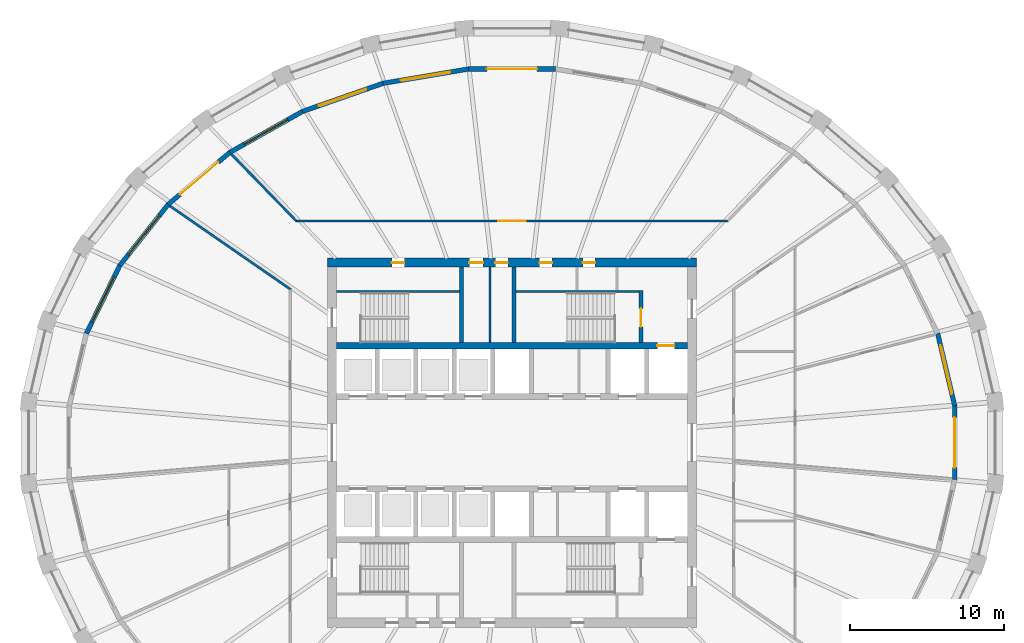
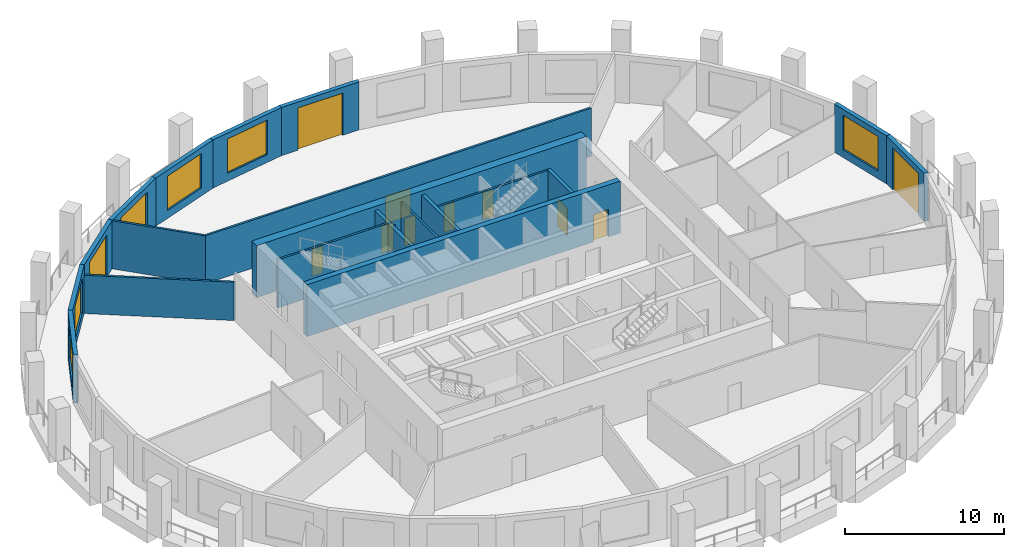
# One storey, part 6 of 11: 20 walls, 11 doors, 6 windows, 17 openings.
"""IFC4 building model written with IfcOpenShell, lengths in metres."""

from ifc_helpers import new_model, si_unit, direction, frame, frame_2d, origin, place, context, subcontext, project, spatial, polyline, rectangle, outline, extrude, material, layer, layer_set, type_object, element, fill, save


model = new_model("IFC4")

# Units and contexts
model_context = context("Model", 3, precision=1e-05, world=origin(), true_north=direction((0.0, 1.0)))
body_context = subcontext(model_context, "Body", "Model", "MODEL_VIEW")
ifc_project = project(units=[si_unit("LENGTHUNIT", "METRE"), si_unit("AREAUNIT", "SQUARE_METRE"), si_unit("VOLUMEUNIT", "CUBIC_METRE"), si_unit("PLANEANGLEUNIT", "RADIAN"), si_unit("MASSUNIT", "GRAM", prefix="KILO")], contexts=[model_context])

# Site, building, storey
site_placement = place(None, origin())
site = spatial("IfcSite", under=ifc_project, at=site_placement, CompositionType="ELEMENT")
building_placement = place(site_placement, origin())
building = spatial("IfcBuilding", under=site, at=building_placement, Name="Halqa Exchange Tower", CompositionType="ELEMENT")
storey_placement = place(building_placement, frame((0.0, 0.0, 226.89990234375)))
storey = spatial("IfcBuildingStorey", under=building, at=storey_placement, Name="L52", CompositionType="ELEMENT", Elevation=226.89990234375)

# Walls
ifc_material_1 = material(Name="Fire-rated gypsum board")
ifc_layer_1 = layer(ifc_material_1, 0.14990234375)
ifc_layer_set_1 = layer_set([ifc_layer_1], Name="Fire-rated gypsum board")
wall_type_1 = type_object("IfcWallType", Name="Fire partition EI 60 150", PredefinedType="PARTITIONING", material=ifc_layer_set_1)
wall_1_placement = place(storey_placement, frame((-18.242431640625, 18.746826171875, 0.0), z_axis=(0.0, 0.0, 1.0), x_axis=(0.697616683155, -0.716471188105, 0.0)))
element("IfcWall", 1, at=wall_1_placement, inside=storey, type_object=wall_type_1, Name="L52-PWL-004", PredefinedType="PARTITIONING", context=body_context, shape_type="SweptSolid", body=[
    extrude(outline(polyline([(0.0, -0.074951171875), (1.524658203125, -0.074951171875), (3.04931640625, -0.074951171875), (4.573974609375, -0.074951171875), (6.0986328125, -0.074951171875), (6.06689453125, 0.0), (6.035400390625, 0.074951171875), (4.532958984375, 0.074951171875), (3.030517578125, 0.074951171875), (1.52783203125, 0.074951171875), (0.025390625, 0.074951171875), (0.005126953125, -0.002197265625), (0.0, -0.07177734375), (0.0, -0.074951171875)])), origin(), (0.0, 0.0, 1.0), 3.7001953125),
])
wall_2_placement = place(storey_placement, frame((-14.36767578125, 9.947509765625, 0.0), z_axis=(0.0, 0.0, 1.0), x_axis=(-0.822511136101, 0.568749005265, 0.0)))
element("IfcWall", 2, at=wall_2_placement, inside=storey, type_object=wall_type_1, Name="L52-PWL-007", PredefinedType="PARTITIONING", context=body_context, shape_type="SweptSolid", body=[
    extrude(outline(polyline([(0.000244140625, -0.074951171875), (1.90673828125, -0.074951171875), (3.8134765625, -0.074951171875), (5.72021484375, -0.074951171875), (7.626708984375, -0.074951171875), (9.533447265625, -0.074951171875), (9.553955078125, 0.00048828125), (9.558349609375, 0.068603515625), (9.558349609375, 0.074951171875), (7.662353515625, 0.074951171875), (5.7666015625, 0.074951171875), (3.87060546875, 0.074951171875), (1.974609375, 0.074951171875), (0.07861328125, 0.074951171875), (0.07861328125, 0.074951171875), (0.07861328125, 0.074951171875), (0.039306640625, 0.0), (0.000244140625, -0.074951171875)])), origin(), (0.0, 0.0, 1.0), 2.947021484375),
])

# Wall, opening, door
wall_3_placement = place(storey_placement, frame((-14.041748046875, 14.39990234375, 0.0), z_axis=(0.0, 0.0, 1.0), x_axis=(1.0, 0.0, 0.0)))
wall_3 = element("IfcWall", 3, at=wall_3_placement, inside=storey, type_object=wall_type_1, Name="L52-PWL-010", PredefinedType="PARTITIONING", context=body_context, shape_type="SweptSolid", body=[
    extrude(outline(polyline([(0.0, -0.074951171875), (1.872314453125, -0.074951171875), (3.74462890625, -0.074951171875), (5.61669921875, -0.074951171875), (7.489013671875, -0.074951171875), (9.361083984375, -0.074951171875), (11.2333984375, -0.074951171875), (13.105712890625, -0.074951171875), (14.977783203125, -0.074951171875), (16.85009765625, -0.074951171875), (18.722412109375, -0.074951171875), (20.594482421875, -0.074951171875), (22.466796875, -0.074951171875), (24.3388671875, -0.074951171875), (26.211181640625, -0.074951171875), (28.08349609375, -0.074951171875), (28.020263671875, 0.074951171875), (26.023193359375, 0.074951171875), (24.0263671875, 0.074951171875), (22.029296875, 0.074951171875), (20.032470703125, 0.074951171875), (18.03564453125, 0.074951171875), (16.03857421875, 0.074951171875), (14.041748046875, 0.074951171875), (12.044921875, 0.074951171875), (10.0478515625, 0.074951171875), (8.051025390625, 0.074951171875), (6.05419921875, 0.074951171875), (4.05712890625, 0.074951171875), (2.060302734375, 0.074951171875), (0.063232421875, 0.074951171875), (0.0, -0.074951171875)])), origin(), (0.0, 0.0, 1.0), 3.7001953125),
])
opening_1_placement = place(wall_3_placement, frame((13.1416015625, 0.0, 0.0)))
opening_1 = element("IfcOpeningElement", 4, at=opening_1_placement, cuts=wall_3, Name="Opening 16-01", PredefinedType="OPENING", context=body_context, shape_type="SweptSolid", body=[
    extrude(rectangle(XDim=1.800048828125, YDim=2.10009765625, at=frame_2d((0.89990234375, 1.050048828125))), frame((0.0, 0.0869140625, 0.0), z_axis=(0.0, -1.0, 0.0), x_axis=(1.0, 0.0, 0.0)), (0.0, 0.0, 1.0), 0.173828125),
])
ifc_material_2 = material(Name="Steel fire door leaf", Category="steel")
door_type_1 = type_object("IfcDoorType", Name="Fire door FD30S double 1800 x 2100", OperationType="DOUBLE_DOOR_SINGLE_SWING", PredefinedType="DOOR", material=ifc_material_2)
door_1_placement = place(opening_1_placement, origin())
door_1 = element("IfcDoor", 5, at=door_1_placement, inside=storey, type_object=door_type_1, Name="L52-IDR-001", OperationType="DOUBLE_DOOR_SINGLE_SWING", OverallHeight=2.10009765625, OverallWidth=1.800048828125, PredefinedType="DOOR", context=body_context, shape_type="SweptSolid", body=[
    extrude(rectangle(XDim=1.800048828125, YDim=2.10009765625, at=frame_2d((0.89990234375, 1.050048828125))), frame((0.0, 0.02490234375, 0.0), z_axis=(0.0, -1.0, 0.0), x_axis=(1.0, 0.0, 0.0)), (0.0, 0.0, 1.0), 0.050048828125),
])
fill(opening_1, door_1)

# Wall
ifc_material_3 = material(Name="Gypsum board")
ifc_layer_2 = layer(ifc_material_3, 0.14990234375)
ifc_layer_set_2 = layer_set([ifc_layer_2], Name="Gypsum board")
wall_type_2 = type_object("IfcWallType", Name="Penthouse riser wall 150 gypsum", PredefinedType="PARTITIONING", material=ifc_layer_set_2)
wall_4_placement = place(storey_placement, frame((-1.425048828125, 6.5, 0.0), z_axis=(0.0, 0.0, 1.0), x_axis=(0.0, 1.0, 0.0)))
element("IfcWall", 6, at=wall_4_placement, inside=storey, type_object=wall_type_2, Name="Partition W1.425 N", PredefinedType="PARTITIONING", context=body_context, shape_type="SweptSolid", body=[
    extrude(rectangle(XDim=4.89990234375, YDim=0.14990234375, at=frame_2d((2.449951171875, 0.0))), origin(), (0.0, 0.0, 1.0), 3.7001953125),
])

# Wall, opening, door
ifc_material_4 = material(Name="Concrete C70/85", Category="concrete")
ifc_layer_3 = layer(ifc_material_4, 0.39990234375)
ifc_layer_set_3 = layer_set([ifc_layer_3], Name="Concrete C70/85")
wall_type_3 = type_object("IfcWallType", Name="RC core wall 400 C70/85", PredefinedType="SHEAR", material=ifc_layer_set_3)
wall_5_placement = place(storey_placement, frame((-11.39990234375, 6.300048828125, 0.0), z_axis=(0.0, 0.0, 1.0), x_axis=(1.0, 0.0, 0.0)))
wall_5 = element("IfcWall", 7, at=wall_5_placement, inside=storey, type_object=wall_type_3, Name="Lift row back wall N", PredefinedType="SHEAR", context=body_context, shape_type="SweptSolid", body=[
    extrude(rectangle(XDim=22.7998046875, YDim=0.39990234375, at=frame_2d((11.39990234375, 0.0))), origin(), (0.0, 0.0, 1.0), 4.0),
])
opening_2_placement = place(wall_5_placement, frame((20.85009765625, 0.0, 0.0)))
opening_2 = element("IfcOpeningElement", 8, at=opening_2_placement, cuts=wall_5, Name="Opening LD-FF1-T16", PredefinedType="OPENING", context=body_context, shape_type="SweptSolid", body=[
    extrude(rectangle(XDim=1.10009765625, YDim=2.10009765625, at=frame_2d((0.550048828125, 1.050048828125))), frame((0.0, 0.2119140625, 0.0), z_axis=(0.0, -1.0, 0.0), x_axis=(1.0, 0.0, 0.0)), (0.0, 0.0, 1.0), 0.423828125),
])
ifc_material_5 = material(Name="Stainless steel", Category="steel")
door_type_2 = type_object("IfcDoorType", Name="Lift landing door 1100 x 2100", OperationType="SLIDING_TO_LEFT", PredefinedType="DOOR", material=ifc_material_5)
door_2_placement = place(opening_2_placement, origin())
door_2 = element("IfcDoor", 9, at=door_2_placement, inside=storey, type_object=door_type_2, Name="Lift landing door FF1", OperationType="SLIDING_TO_LEFT", OverallHeight=2.10009765625, OverallWidth=1.10009765625, PredefinedType="DOOR", context=body_context, shape_type="SweptSolid", body=[
    extrude(rectangle(XDim=1.10009765625, YDim=2.10009765625, at=frame_2d((0.550048828125, 1.050048828125))), frame((0.0, 0.02490234375, 0.0), z_axis=(0.0, -1.0, 0.0), x_axis=(1.0, 0.0, 0.0)), (0.0, 0.0, 1.0), 0.050048828125),
])
fill(opening_2, door_2)

# Wall, openings, doors
ifc_layer_4 = layer(ifc_material_4, 0.60009765625)
ifc_layer_set_4 = layer_set([ifc_layer_4], Name="Concrete C70/85")
wall_type_4 = type_object("IfcWallType", Name="RC core wall 600 C70/85", PredefinedType="SHEAR", material=ifc_layer_set_4)
wall_6_placement = place(storey_placement, frame((-12.0, 11.699951171875, 0.0), z_axis=(0.0, 0.0, 1.0), x_axis=(1.0, 0.0, 0.0)))
wall_6 = element("IfcWall", 10, at=wall_6_placement, inside=storey, type_object=wall_type_4, Name="Core wall north", PredefinedType="SHEAR", context=body_context, shape_type="SweptSolid", body=[
    extrude(rectangle(XDim=24.0, YDim=0.60009765625, at=frame_2d((12.0, 0.0))), origin(), (0.0, 0.0, 1.0), 4.0),
])
opening_3_placement = place(wall_6_placement, frame((9.22509765625, 0.0, 0.0)))
opening_3 = element("IfcOpeningElement", 11, at=opening_3_placement, cuts=wall_6, Name="Opening T16-C21", PredefinedType="OPENING", context=body_context, shape_type="SweptSolid", body=[
    extrude(rectangle(XDim=0.89990234375, YDim=2.10009765625, at=frame_2d((0.449951171875, 1.050048828125))), frame((0.0, 0.31201171875, 0.0), z_axis=(0.0, -1.0, 0.0), x_axis=(1.0, 0.0, 0.0)), (0.0, 0.0, 1.0), 0.6240234375),
])
opening_4_placement = place(wall_6_placement, frame((10.925048828125, 0.0, 0.0)))
opening_4 = element("IfcOpeningElement", 12, at=opening_4_placement, cuts=wall_6, Name="Opening T16-C22", PredefinedType="OPENING", context=body_context, shape_type="SweptSolid", body=[
    extrude(rectangle(XDim=0.800048828125, YDim=2.10009765625, at=frame_2d((0.39990234375, 1.050048828125))), frame((0.0, 0.31201171875, 0.0), z_axis=(0.0, -1.0, 0.0), x_axis=(1.0, 0.0, 0.0)), (0.0, 0.0, 1.0), 0.6240234375),
])
opening_5_placement = place(wall_6_placement, frame((4.199951171875, 0.0, 0.0)))
opening_5 = element("IfcOpeningElement", 13, at=opening_5_placement, cuts=wall_6, Name="Opening T16-C23", PredefinedType="OPENING", context=body_context, shape_type="SweptSolid", body=[
    extrude(rectangle(XDim=0.800048828125, YDim=2.10009765625, at=frame_2d((0.39990234375, 1.050048828125))), frame((0.0, 0.31201171875, 0.0), z_axis=(0.0, -1.0, 0.0), x_axis=(1.0, 0.0, 0.0)), (0.0, 0.0, 1.0), 0.6240234375),
])
opening_6_placement = place(wall_6_placement, frame((13.800048828125, 0.0, 0.0)))
opening_6 = element("IfcOpeningElement", 14, at=opening_6_placement, cuts=wall_6, Name="Opening T16-C24", PredefinedType="OPENING", context=body_context, shape_type="SweptSolid", body=[
    extrude(rectangle(XDim=0.800048828125, YDim=2.10009765625, at=frame_2d((0.39990234375, 1.050048828125))), frame((0.0, 0.31201171875, 0.0), z_axis=(0.0, -1.0, 0.0), x_axis=(1.0, 0.0, 0.0)), (0.0, 0.0, 1.0), 0.6240234375),
])
opening_7_placement = place(wall_6_placement, frame((16.60009765625, 0.0, 0.0)))
opening_7 = element("IfcOpeningElement", 15, at=opening_7_placement, cuts=wall_6, Name="Opening T16-C25", PredefinedType="OPENING", context=body_context, shape_type="SweptSolid", body=[
    extrude(rectangle(XDim=0.800048828125, YDim=2.10009765625, at=frame_2d((0.39990234375, 1.050048828125))), frame((0.0, 0.31201171875, 0.0), z_axis=(0.0, -1.0, 0.0), x_axis=(1.0, 0.0, 0.0)), (0.0, 0.0, 1.0), 0.6240234375),
])
ifc_material_6 = material(Name="Timber fire door leaf", Category="wood")
door_type_3 = type_object("IfcDoorType", Name="Core room door FD30 900 x 2100", OperationType="SINGLE_SWING_LEFT", PredefinedType="DOOR", material=ifc_material_6)
door_3_placement = place(opening_3_placement, frame((0.89990234375, 0.0, 0.0), z_axis=(0.0, 0.0, 1.0), x_axis=(-1.0, 0.0, 0.0)))
door_3 = element("IfcDoor", 16, at=door_3_placement, inside=storey, type_object=door_type_3, Name="Core room door", OperationType="SINGLE_SWING_RIGHT", OverallHeight=2.10009765625, OverallWidth=0.89990234375, PredefinedType="DOOR", context=body_context, shape_type="SweptSolid", body=[
    extrude(rectangle(XDim=0.89990234375, YDim=2.10009765625, at=frame_2d((0.449951171875, 1.050048828125))), frame((0.0, 0.02490234375, 0.0), z_axis=(0.0, -1.0, 0.0), x_axis=(1.0, 0.0, 0.0)), (0.0, 0.0, 1.0), 0.050048828125),
])
fill(opening_3, door_3)
door_type_4 = type_object("IfcDoorType", Name="Riser door FD60 800 x 2100", OperationType="SINGLE_SWING_LEFT", PredefinedType="DOOR", material=ifc_material_2)
door_4_placement = place(opening_4_placement, frame((0.800048828125, 0.0, 0.0), z_axis=(0.0, 0.0, 1.0), x_axis=(-1.0, 0.0, 0.0)))
door_4 = element("IfcDoor", 17, at=door_4_placement, inside=storey, type_object=door_type_4, Name="Core room door", OperationType="SINGLE_SWING_RIGHT", OverallHeight=2.10009765625, OverallWidth=0.800048828125, PredefinedType="DOOR", context=body_context, shape_type="SweptSolid", body=[
    extrude(rectangle(XDim=0.800048828125, YDim=2.10009765625, at=frame_2d((0.39990234375, 1.050048828125))), frame((0.0, 0.02490234375, 0.0), z_axis=(0.0, -1.0, 0.0), x_axis=(1.0, 0.0, 0.0)), (0.0, 0.0, 1.0), 0.050048828125),
])
fill(opening_4, door_4)
door_5_placement = place(opening_5_placement, frame((0.800048828125, 0.0, 0.0), z_axis=(0.0, 0.0, 1.0), x_axis=(-1.0, 0.0, 0.0)))
door_5 = element("IfcDoor", 18, at=door_5_placement, inside=storey, type_object=door_type_4, Name="Core room door", OperationType="SINGLE_SWING_RIGHT", OverallHeight=2.10009765625, OverallWidth=0.800048828125, PredefinedType="DOOR", context=body_context, shape_type="SweptSolid", body=[
    extrude(rectangle(XDim=0.800048828125, YDim=2.10009765625, at=frame_2d((0.39990234375, 1.050048828125))), frame((0.0, 0.02490234375, 0.0), z_axis=(0.0, -1.0, 0.0), x_axis=(1.0, 0.0, 0.0)), (0.0, 0.0, 1.0), 0.050048828125),
])
fill(opening_5, door_5)
door_6_placement = place(opening_6_placement, frame((0.800048828125, 0.0, 0.0), z_axis=(0.0, 0.0, 1.0), x_axis=(-1.0, 0.0, 0.0)))
door_6 = element("IfcDoor", 19, at=door_6_placement, inside=storey, type_object=door_type_4, Name="Core room door", OperationType="SINGLE_SWING_LEFT", OverallHeight=2.10009765625, OverallWidth=0.800048828125, PredefinedType="DOOR", context=body_context, shape_type="SweptSolid", body=[
    extrude(rectangle(XDim=0.800048828125, YDim=2.10009765625, at=frame_2d((0.39990234375, 1.050048828125))), frame((0.0, 0.02490234375, 0.0), z_axis=(0.0, -1.0, 0.0), x_axis=(1.0, 0.0, 0.0)), (0.0, 0.0, 1.0), 0.050048828125),
])
fill(opening_6, door_6)
door_7_placement = place(opening_7_placement, frame((0.800048828125, 0.0, 0.0), z_axis=(0.0, 0.0, 1.0), x_axis=(-1.0, 0.0, 0.0)))
door_7 = element("IfcDoor", 20, at=door_7_placement, inside=storey, type_object=door_type_4, Name="Core room door", OperationType="SINGLE_SWING_LEFT", OverallHeight=2.10009765625, OverallWidth=0.800048828125, PredefinedType="DOOR", context=body_context, shape_type="SweptSolid", body=[
    extrude(rectangle(XDim=0.800048828125, YDim=2.10009765625, at=frame_2d((0.39990234375, 1.050048828125))), frame((0.0, 0.02490234375, 0.0), z_axis=(0.0, -1.0, 0.0), x_axis=(1.0, 0.0, 0.0)), (0.0, 0.0, 1.0), 0.050048828125),
])
fill(opening_7, door_7)

# Walls
ifc_material_7 = material(Name="Concrete C30/37", Category="concrete")
ifc_layer_5 = layer(ifc_material_7, 0.14990234375)
ifc_layer_set_5 = layer_set([ifc_layer_5], Name="Concrete C30/37")
wall_type_5 = type_object("IfcWallType", Name="RC stair wall 150 C30/37", PredefinedType="SHEAR", material=ifc_layer_set_5)
for number, where, z_axis, x_axis, name in (
    (21, (-11.39990234375, 9.824951171875, 0.0), (0.0, 0.0, 1.0), (1.0, 0.0, 0.0), "Stair ST1 north wall N"),
    (22, (0.25, 9.824951171875, 0.0), (0.0, 0.0, 1.0), (1.0, 0.0, 0.0), "Stair ST2 north wall N"),
):
    element("IfcWall", number, at=place(storey_placement, frame(where, z_axis=z_axis, x_axis=x_axis)), inside=storey, type_object=wall_type_5, Name=name, PredefinedType="SHEAR", context=body_context, shape_type="SweptSolid", body=[
        extrude(rectangle(XDim=8.0, YDim=0.14990234375, at=frame_2d((4.0, 0.0))), origin(), (0.0, 0.0, 1.0), 3.7001953125),
    ])
ifc_layer_6 = layer(ifc_material_7, 0.25)
ifc_layer_set_6 = layer_set([ifc_layer_6], Name="Concrete C30/37")
wall_type_6 = type_object("IfcWallType", Name="RC stair wall 250 C30/37", PredefinedType="SHEAR", material=ifc_layer_set_6)
for number, where, z_axis, x_axis, name in (
    (23, (-3.27490234375, 6.5, 0.0), (0.0, 0.0, 1.0), (0.0, 1.0, 0.0), "Stair ST1 east wall N"),
    (24, (0.125, 6.5, 0.0), (0.0, 0.0, 1.0), (0.0, 1.0, 0.0), "Stair ST2 west wall N"),
):
    element("IfcWall", number, at=place(storey_placement, frame(where, z_axis=z_axis, x_axis=x_axis)), inside=storey, type_object=wall_type_6, Name=name, PredefinedType="SHEAR", context=body_context, shape_type="SweptSolid", body=[
        extrude(rectangle(XDim=4.89990234375, YDim=0.25, at=frame_2d((2.449951171875, 0.0))), origin(), (0.0, 0.0, 1.0), 3.7001953125),
    ])

# Wall, opening, door
wall_7_placement = place(storey_placement, frame((8.375, 6.5, 0.0), z_axis=(0.0, 0.0, 1.0), x_axis=(0.0, 1.0, 0.0)))
wall_7 = element("IfcWall", 25, at=wall_7_placement, inside=storey, type_object=wall_type_6, Name="Stair ST2 east wall N", PredefinedType="SHEAR", context=body_context, shape_type="SweptSolid", body=[
    extrude(rectangle(XDim=3.39990234375, YDim=0.25, at=frame_2d((1.699951171875, 0.0))), origin(), (0.0, 0.0, 1.0), 3.7001953125),
])
opening_8_placement = place(wall_7_placement, frame((1.02490234375, 0.0, 0.0)))
opening_8 = element("IfcOpeningElement", 26, at=opening_8_placement, cuts=wall_7, Name="Opening T16-C16", PredefinedType="OPENING", context=body_context, shape_type="SweptSolid", body=[
    extrude(rectangle(XDim=1.199951171875, YDim=2.10009765625, at=frame_2d((0.60009765625, 1.050048828125))), frame((0.0, 0.136962890625, 0.0), z_axis=(0.0, -1.0, 0.0), x_axis=(1.0, 0.0, 0.0)), (0.0, 0.0, 1.0), 0.27392578125),
])
door_type_5 = type_object("IfcDoorType", Name="Stair door FD90 1200 x 2100", OperationType="SINGLE_SWING_LEFT", PredefinedType="DOOR", material=ifc_material_2)
door_8_placement = place(opening_8_placement, origin())
door_8 = element("IfcDoor", 27, at=door_8_placement, inside=storey, type_object=door_type_5, Name="Stair door ST2", OperationType="SINGLE_SWING_LEFT", OverallHeight=2.10009765625, OverallWidth=1.199951171875, PredefinedType="DOOR", context=body_context, shape_type="SweptSolid", body=[
    extrude(rectangle(XDim=1.199951171875, YDim=2.10009765625, at=frame_2d((0.60009765625, 1.050048828125))), frame((0.0, 0.02490234375, 0.0), z_axis=(0.0, -1.0, 0.0), x_axis=(1.0, 0.0, 0.0)), (0.0, 0.0, 1.0), 0.050048828125),
])
fill(opening_8, door_8)

# Wall, opening, window
ifc_material_8 = material(Name="Limestone cladding", Category="masonry")
ifc_layer_7 = layer(ifc_material_8, 0.0400390625)
ifc_material_9 = material(Name="Ventilated cavity")
ifc_layer_8 = layer(ifc_material_9, 0.030029296875, ventilated=True)
ifc_material_10 = material(Name="Mineral wool insulation")
ifc_layer_9 = layer(ifc_material_10, 0.10009765625)
ifc_layer_10 = layer(ifc_material_7, 0.10009765625)
ifc_material_11 = material(Name="Internal plaster")
ifc_layer_11 = layer(ifc_material_11, 0.030029296875)
ifc_layer_set_7 = layer_set([ifc_layer_7, ifc_layer_8, ifc_layer_9, ifc_layer_10, ifc_layer_11], Name="Stone-faced insulated wall 300")
wall_type_7 = type_object("IfcWallType", Name="Stone-faced insulated wall 300", PredefinedType="STANDARD", material=ifc_layer_set_7)
wall_8_placement = place(storey_placement, frame((28.76416015625, 2.393798828125, 0.0), z_axis=(0.0, 0.0, 1.0), x_axis=(-0.229617574796, 0.97328093033, 0.0)))
wall_8 = element("IfcWall", 28, at=wall_8_placement, inside=storey, type_object=wall_type_7, Name="Glass-line wall 1", PredefinedType="STANDARD", context=body_context, shape_type="SweptSolid", body=[
    extrude(outline(polyline([(-0.017333984375, -0.14990234375), (4.8408203125, -0.14990234375), (4.80712890625, 0.14990234375), (0.017333984375, 0.14990234375), (-0.017333984375, -0.14990234375)])), origin(), (0.0, 0.0, 1.0), 3.7001953125),
])
opening_9_placement = place(wall_8_placement, frame((0.786865234375, 0.0, 0.60009765625)))
opening_9 = element("IfcOpeningElement", 29, at=opening_9_placement, cuts=wall_8, Name="Opening W-F3-01", PredefinedType="OPENING", context=body_context, shape_type="SweptSolid", body=[
    extrude(rectangle(XDim=3.25, YDim=2.64990234375, at=frame_2d((1.625, 1.324951171875))), frame((0.0, 0.162109375, 0.0), z_axis=(0.0, -1.0, 0.0), x_axis=(1.0, 0.0, 0.0)), (0.0, 0.0, 1.0), 0.323974609375),
])
ifc_material_12 = material(Name="Clear low-emissivity glass in aluminium frame", Category="aluminium")
window_type = type_object("IfcWindowType", Name="Fixed clear glazed window 3250 x 2650", PartitioningType="TRIPLE_PANEL_VERTICAL", PredefinedType="WINDOW", material=ifc_material_12)
window_1_placement = place(opening_9_placement, origin())
window_1 = element("IfcWindow", 30, at=window_1_placement, inside=storey, type_object=window_type, Name="Window 3", OverallHeight=2.64990234375, OverallWidth=3.25, PartitioningType="TRIPLE_PANEL_VERTICAL", PredefinedType="WINDOW", context=body_context, shape_type="SweptSolid", body=[
    extrude(rectangle(XDim=3.25, YDim=2.64990234375, at=frame_2d((1.625, 1.324951171875))), frame((0.0, 0.030029296875, 0.0), z_axis=(0.0, -1.0, 0.0), x_axis=(1.0, 0.0, 0.0)), (0.0, 0.0, 1.0), 0.06005859375),
])
fill(opening_9, window_1)

# Wall, opening, door
wall_9_placement = place(storey_placement, frame((2.830810546875, 24.2783203125, 0.0), z_axis=(0.0, 0.0, 1.0), x_axis=(-1.0, 0.0, 0.0)))
wall_9 = element("IfcWall", 31, at=wall_9_placement, inside=storey, type_object=wall_type_7, Name="Glass-line wall 8", PredefinedType="STANDARD", context=body_context, shape_type="SweptSolid", body=[
    extrude(outline(polyline([(-0.012451171875, -0.14990234375), (5.674072265625, -0.14990234375), (5.649169921875, 0.14990234375), (0.012451171875, 0.14990234375), (-0.012451171875, -0.14990234375)])), origin(), (0.0, 0.0, 1.0), 3.7001953125),
])
opening_10_placement = place(wall_9_placement, frame((1.205810546875, 0.0, 0.0)))
opening_10 = element("IfcOpeningElement", 32, at=opening_10_placement, cuts=wall_9, Name="Opening LG-F3-02", PredefinedType="OPENING", context=body_context, shape_type="SweptSolid", body=[
    extrude(rectangle(XDim=3.25, YDim=3.25, at=frame_2d((1.625, 1.625))), frame((0.0, 0.162109375, 0.0), z_axis=(0.0, -1.0, 0.0), x_axis=(1.0, 0.0, 0.0)), (0.0, 0.0, 1.0), 0.323974609375),
])
door_type_6 = type_object("IfcDoorType", Name="Glazed sliding loggia door 3250 x 3250", OperationType="DOUBLE_DOOR_SLIDING", PredefinedType="DOOR", material=ifc_material_12)
door_9_placement = place(opening_10_placement, origin())
door_9 = element("IfcDoor", 33, at=door_9_placement, inside=storey, type_object=door_type_6, Name="Loggia door 2", OperationType="DOUBLE_DOOR_SLIDING", OverallHeight=3.25, OverallWidth=3.25, PredefinedType="DOOR", context=body_context, shape_type="SweptSolid", body=[
    extrude(rectangle(XDim=3.25, YDim=3.25, at=frame_2d((1.625, 1.625))), frame((0.0, 0.02490234375, 0.0), z_axis=(0.0, -1.0, 0.0), x_axis=(1.0, 0.0, 0.0)), (0.0, 0.0, 1.0), 0.050048828125),
])
fill(opening_10, door_9)

# Wall, opening, window
wall_10_placement = place(storey_placement, frame((-2.830810546875, 24.2783203125, 0.0), z_axis=(0.0, 0.0, 1.0), x_axis=(-0.986223472554, -0.165418445715, 0.0)))
wall_10 = element("IfcWall", 34, at=wall_10_placement, inside=storey, type_object=wall_type_7, Name="Glass-line wall 9", PredefinedType="STANDARD", context=body_context, shape_type="SweptSolid", body=[
    extrude(outline(polyline([(-0.012451171875, -0.14990234375), (5.643310546875, -0.14990234375), (5.617919921875, 0.14990234375), (0.012451171875, 0.14990234375), (-0.012451171875, -0.14990234375)])), origin(), (0.0, 0.0, 1.0), 3.7001953125),
])
opening_11_placement = place(wall_10_placement, frame((1.190185546875, 0.0, 0.60009765625)))
opening_11 = element("IfcOpeningElement", 35, at=opening_11_placement, cuts=wall_10, Name="Opening W-F3-09", PredefinedType="OPENING", context=body_context, shape_type="SweptSolid", body=[
    extrude(rectangle(XDim=3.25, YDim=2.64990234375, at=frame_2d((1.625, 1.324951171875))), frame((0.0, 0.162109375, 0.0), z_axis=(0.0, -1.0, 0.0), x_axis=(1.0, 0.0, 0.0)), (0.0, 0.0, 1.0), 0.323974609375),
])
window_2_placement = place(opening_11_placement, origin())
window_2 = element("IfcWindow", 36, at=window_2_placement, inside=storey, type_object=window_type, Name="Window 3", OverallHeight=2.64990234375, OverallWidth=3.25, PartitioningType="TRIPLE_PANEL_VERTICAL", PredefinedType="WINDOW", context=body_context, shape_type="SweptSolid", body=[
    extrude(rectangle(XDim=3.25, YDim=2.64990234375, at=frame_2d((1.625, 1.324951171875))), frame((0.0, 0.030029296875, 0.0), z_axis=(0.0, -1.0, 0.0), x_axis=(1.0, 0.0, 0.0)), (0.0, 0.0, 1.0), 0.06005859375),
])
fill(opening_11, window_2)

wall_11_placement = place(storey_placement, frame((-8.3837890625, 23.346923828125, 0.0), z_axis=(0.0, 0.0, 1.0), x_axis=(-0.944075859918, -0.329728328659, 0.0)))
wall_11 = element("IfcWall", 37, at=wall_11_placement, inside=storey, type_object=wall_type_7, Name="Glass-line wall 10", PredefinedType="STANDARD", context=body_context, shape_type="SweptSolid", body=[
    extrude(outline(polyline([(-0.0126953125, -0.14990234375), (5.5556640625, -0.14990234375), (5.52880859375, 0.14990234375), (0.0126953125, 0.14990234375), (-0.0126953125, -0.14990234375)])), origin(), (0.0, 0.0, 1.0), 3.7001953125),
])
opening_12_placement = place(wall_11_placement, frame((1.14599609375, 0.0, 0.60009765625)))
opening_12 = element("IfcOpeningElement", 38, at=opening_12_placement, cuts=wall_11, Name="Opening W-F3-10", PredefinedType="OPENING", context=body_context, shape_type="SweptSolid", body=[
    extrude(rectangle(XDim=3.25, YDim=2.64990234375, at=frame_2d((1.625, 1.324951171875))), frame((0.0, 0.162109375, 0.0), z_axis=(0.0, -1.0, 0.0), x_axis=(1.0, 0.0, 0.0)), (0.0, 0.0, 1.0), 0.323974609375),
])
window_3_placement = place(opening_12_placement, origin())
window_3 = element("IfcWindow", 39, at=window_3_placement, inside=storey, type_object=window_type, Name="Window 3", OverallHeight=2.64990234375, OverallWidth=3.25, PartitioningType="TRIPLE_PANEL_VERTICAL", PredefinedType="WINDOW", context=body_context, shape_type="SweptSolid", body=[
    extrude(rectangle(XDim=3.25, YDim=2.64990234375, at=frame_2d((1.625, 1.324951171875))), frame((0.0, 0.030029296875, 0.0), z_axis=(0.0, -1.0, 0.0), x_axis=(1.0, 0.0, 0.0)), (0.0, 0.0, 1.0), 0.06005859375),
])
fill(opening_12, window_3)

wall_12_placement = place(storey_placement, frame((-13.615966796875, 21.51953125, 0.0), z_axis=(0.0, 0.0, 1.0), x_axis=(-0.871225596594, -0.490882837181, 0.0)))
wall_12 = element("IfcWall", 40, at=wall_12_placement, inside=storey, type_object=wall_type_7, Name="Glass-line wall 11", PredefinedType="STANDARD", context=body_context, shape_type="SweptSolid", body=[
    extrude(outline(polyline([(-0.013427734375, -0.14990234375), (5.4208984375, -0.14990234375), (5.392578125, 0.14990234375), (0.013427734375, 0.14990234375), (-0.013427734375, -0.14990234375)])), origin(), (0.0, 0.0, 1.0), 3.7001953125),
])
opening_13_placement = place(wall_12_placement, frame((1.078369140625, 0.0, 0.60009765625)))
opening_13 = element("IfcOpeningElement", 41, at=opening_13_placement, cuts=wall_12, Name="Opening W-F3-11", PredefinedType="OPENING", context=body_context, shape_type="SweptSolid", body=[
    extrude(rectangle(XDim=3.25, YDim=2.64990234375, at=frame_2d((1.625, 1.324951171875))), frame((0.0, 0.162109375, 0.0), z_axis=(0.0, -1.0, 0.0), x_axis=(1.0, 0.0, 0.0)), (0.0, 0.0, 1.0), 0.323974609375),
])
window_4_placement = place(opening_13_placement, origin())
window_4 = element("IfcWindow", 42, at=window_4_placement, inside=storey, type_object=window_type, Name="Window 3", OverallHeight=2.64990234375, OverallWidth=3.25, PartitioningType="TRIPLE_PANEL_VERTICAL", PredefinedType="WINDOW", context=body_context, shape_type="SweptSolid", body=[
    extrude(rectangle(XDim=3.25, YDim=2.64990234375, at=frame_2d((1.625, 1.324951171875))), frame((0.0, 0.030029296875, 0.0), z_axis=(0.0, -1.0, 0.0), x_axis=(1.0, 0.0, 0.0)), (0.0, 0.0, 1.0), 0.06005859375),
])
fill(opening_13, window_4)

# Wall, opening, door
wall_13_placement = place(storey_placement, frame((-18.326416015625, 18.865478515625, 0.0), z_axis=(0.0, 0.0, 1.0), x_axis=(-0.764475071601, -0.644653290459, 0.0)))
wall_13 = element("IfcWall", 43, at=wall_13_placement, inside=storey, type_object=wall_type_7, Name="Glass-line wall 12", PredefinedType="STANDARD", context=body_context, shape_type="SweptSolid", body=[
    extrude(outline(polyline([(-0.01416015625, -0.14990234375), (5.2578125, -0.14990234375), (5.2275390625, 0.14990234375), (0.01416015625, 0.14990234375), (-0.01416015625, -0.14990234375)])), origin(), (0.0, 0.0, 1.0), 3.7001953125),
])
opening_14_placement = place(wall_13_placement, frame((0.996337890625, 0.0, 0.0)))
opening_14 = element("IfcOpeningElement", 44, at=opening_14_placement, cuts=wall_13, Name="Opening LG-F3-03", PredefinedType="OPENING", context=body_context, shape_type="SweptSolid", body=[
    extrude(rectangle(XDim=3.25, YDim=3.25, at=frame_2d((1.625, 1.625))), frame((0.0, 0.162109375, 0.0), z_axis=(0.0, -1.0, 0.0), x_axis=(1.0, 0.0, 0.0)), (0.0, 0.0, 1.0), 0.323974609375),
])
door_10_placement = place(opening_14_placement, origin())
door_10 = element("IfcDoor", 45, at=door_10_placement, inside=storey, type_object=door_type_6, Name="Loggia door 3", OperationType="DOUBLE_DOOR_SLIDING", OverallHeight=3.25, OverallWidth=3.25, PredefinedType="DOOR", context=body_context, shape_type="SweptSolid", body=[
    extrude(rectangle(XDim=3.25, YDim=3.25, at=frame_2d((1.625, 1.625))), frame((0.0, 0.02490234375, 0.0), z_axis=(0.0, -1.0, 0.0), x_axis=(1.0, 0.0, 0.0)), (0.0, 0.0, 1.0), 0.050048828125),
])
fill(opening_14, door_10)

# Wall, opening, window
wall_14_placement = place(storey_placement, frame((-22.334228515625, 15.48583984375, 0.0), z_axis=(0.0, 0.0, 1.0), x_axis=(-0.621084984443, -0.783743224596, 0.0)))
wall_14 = element("IfcWall", 46, at=wall_14_placement, inside=storey, type_object=wall_type_7, Name="Glass-line wall 13", PredefinedType="STANDARD", context=body_context, shape_type="SweptSolid", body=[
    extrude(outline(polyline([(-0.01513671875, -0.14990234375), (5.08935546875, -0.14990234375), (5.05712890625, 0.14990234375), (0.01513671875, 0.14990234375), (-0.01513671875, -0.14990234375)])), origin(), (0.0, 0.0, 1.0), 3.7001953125),
])
opening_15_placement = place(wall_14_placement, frame((0.91162109375, 0.0, 0.60009765625)))
opening_15 = element("IfcOpeningElement", 47, at=opening_15_placement, cuts=wall_14, Name="Opening W-F3-13", PredefinedType="OPENING", context=body_context, shape_type="SweptSolid", body=[
    extrude(rectangle(XDim=3.25, YDim=2.64990234375, at=frame_2d((1.625, 1.324951171875))), frame((0.0, 0.162109375, 0.0), z_axis=(0.0, -1.0, 0.0), x_axis=(1.0, 0.0, 0.0)), (0.0, 0.0, 1.0), 0.323974609375),
])
window_5_placement = place(opening_15_placement, origin())
window_5 = element("IfcWindow", 48, at=window_5_placement, inside=storey, type_object=window_type, Name="Window 3", OverallHeight=2.64990234375, OverallWidth=3.25, PartitioningType="TRIPLE_PANEL_VERTICAL", PredefinedType="WINDOW", context=body_context, shape_type="SweptSolid", body=[
    extrude(rectangle(XDim=3.25, YDim=2.64990234375, at=frame_2d((1.625, 1.324951171875))), frame((0.0, 0.030029296875, 0.0), z_axis=(0.0, -1.0, 0.0), x_axis=(1.0, 0.0, 0.0)), (0.0, 0.0, 1.0), 0.06005859375),
])
fill(opening_15, window_5)

wall_15_placement = place(storey_placement, frame((-25.485107421875, 11.509765625, 0.0), z_axis=(0.0, 0.0, 1.0), x_axis=(-0.440857641837, -0.897577038272, 0.0)))
wall_15 = element("IfcWall", 49, at=wall_15_placement, inside=storey, type_object=wall_type_7, Name="Glass-line wall 14", PredefinedType="STANDARD", context=body_context, shape_type="SweptSolid", body=[
    extrude(outline(polyline([(-0.01611328125, -0.14990234375), (4.942138671875, -0.14990234375), (4.908447265625, 0.14990234375), (0.01611328125, 0.14990234375), (-0.01611328125, -0.14990234375)])), origin(), (0.0, 0.0, 1.0), 3.7001953125),
])
opening_16_placement = place(wall_15_placement, frame((0.837646484375, 0.0, 0.60009765625)))
opening_16 = element("IfcOpeningElement", 50, at=opening_16_placement, cuts=wall_15, Name="Opening W-F3-14", PredefinedType="OPENING", context=body_context, shape_type="SweptSolid", body=[
    extrude(rectangle(XDim=3.25, YDim=2.64990234375, at=frame_2d((1.625, 1.324951171875))), frame((0.0, 0.162109375, 0.0), z_axis=(0.0, -1.0, 0.0), x_axis=(1.0, 0.0, 0.0)), (0.0, 0.0, 1.0), 0.323974609375),
])
window_6_placement = place(opening_16_placement, origin())
window_6 = element("IfcWindow", 51, at=window_6_placement, inside=storey, type_object=window_type, Name="Window 3", OverallHeight=2.64990234375, OverallWidth=3.25, PartitioningType="TRIPLE_PANEL_VERTICAL", PredefinedType="WINDOW", context=body_context, shape_type="SweptSolid", body=[
    extrude(rectangle(XDim=3.25, YDim=2.64990234375, at=frame_2d((1.625, 1.324951171875))), frame((0.0, 0.030029296875, 0.0), z_axis=(0.0, -1.0, 0.0), x_axis=(1.0, 0.0, 0.0)), (0.0, 0.0, 1.0), 0.06005859375),
])
fill(opening_16, window_6)

# Wall, opening, door
wall_16_placement = place(storey_placement, frame((28.76416015625, -2.393798828125, 0.0), z_axis=(0.0, 0.0, 1.0), x_axis=(0.0, 1.0, 0.0)))
wall_16 = element("IfcWall", 52, at=wall_16_placement, inside=storey, type_object=wall_type_7, Name="Glass-line wall 32", PredefinedType="STANDARD", context=body_context, shape_type="SweptSolid", body=[
    extrude(outline(polyline([(-0.017333984375, -0.14990234375), (4.804931640625, -0.14990234375), (4.770263671875, 0.14990234375), (0.017333984375, 0.14990234375), (-0.017333984375, -0.14990234375)])), origin(), (0.0, 0.0, 1.0), 3.7001953125),
])
opening_17_placement = place(wall_16_placement, frame((0.768798828125, 0.0, 0.0)))
opening_17 = element("IfcOpeningElement", 53, at=opening_17_placement, cuts=wall_16, Name="Opening LG-F3-08", PredefinedType="OPENING", context=body_context, shape_type="SweptSolid", body=[
    extrude(rectangle(XDim=3.25, YDim=3.25, at=frame_2d((1.625, 1.625))), frame((0.0, 0.162109375, 0.0), z_axis=(0.0, -1.0, 0.0), x_axis=(1.0, 0.0, 0.0)), (0.0, 0.0, 1.0), 0.323974609375),
])
door_11_placement = place(opening_17_placement, origin())
door_11 = element("IfcDoor", 54, at=door_11_placement, inside=storey, type_object=door_type_6, Name="Loggia door 8", OperationType="DOUBLE_DOOR_SLIDING", OverallHeight=3.25, OverallWidth=3.25, PredefinedType="DOOR", context=body_context, shape_type="SweptSolid", body=[
    extrude(rectangle(XDim=3.25, YDim=3.25, at=frame_2d((1.625, 1.625))), frame((0.0, 0.02490234375, 0.0), z_axis=(0.0, -1.0, 0.0), x_axis=(1.0, 0.0, 0.0)), (0.0, 0.0, 1.0), 0.050048828125),
])
fill(opening_17, door_11)

save(model, "model.ifc")
